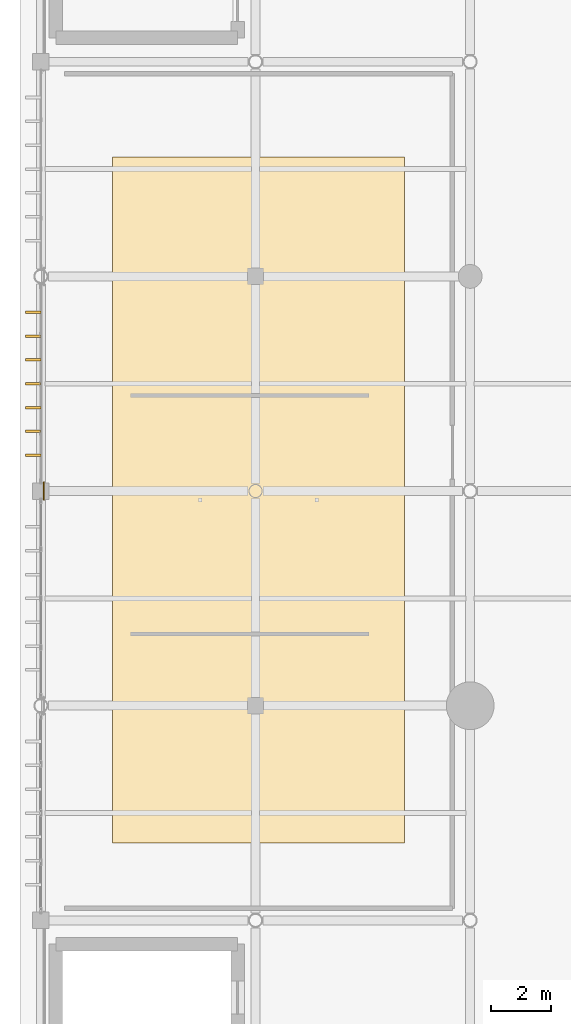
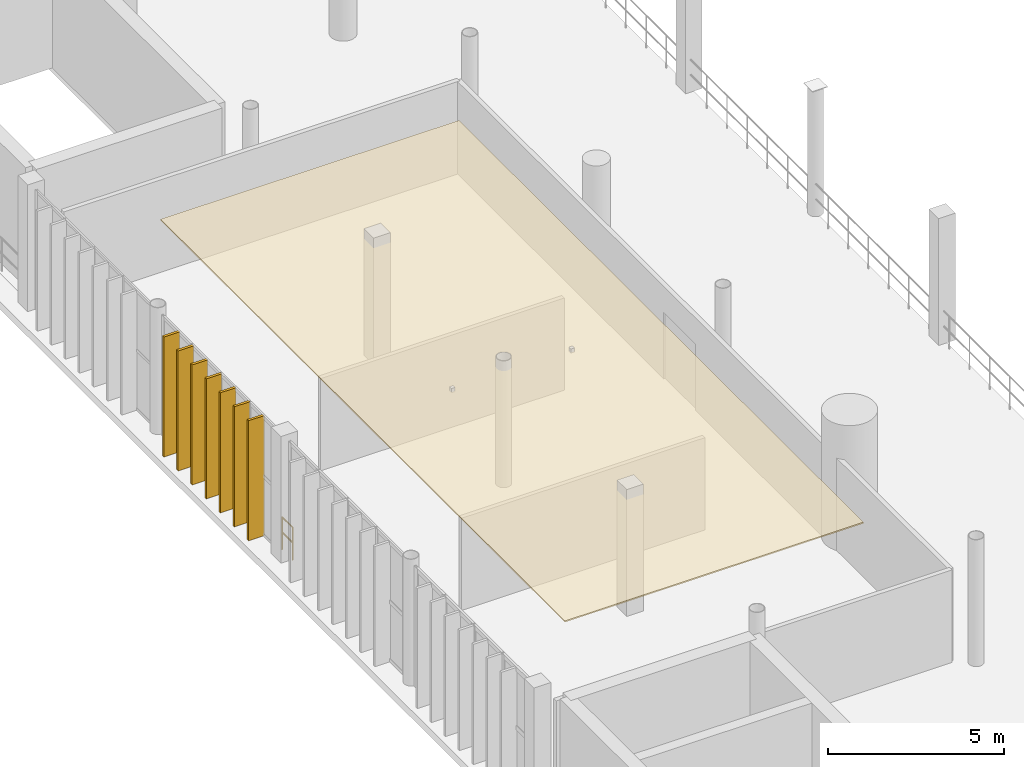
# One storey, part 73 of 81: 8 coverings, 1 railing.
"""IFC4 building model written with IfcOpenShell, lengths in metres."""

from ifc_helpers import new_model, si_unit, direction, frame, origin, origin_2d, place, context, subcontext, project, spatial, polyline, rectangle, circle, outline, extrude, material, layer, layer_set, type_object, element, save


model = new_model("IFC4")

# Units and contexts
model_context = context("Model", 3, precision=1e-05, world=origin(), true_north=direction((0.0, 1.0)))
body_context = subcontext(model_context, "Body", "Model", "MODEL_VIEW")
ifc_project = project(units=[si_unit("LENGTHUNIT", "METRE"), si_unit("AREAUNIT", "SQUARE_METRE"), si_unit("VOLUMEUNIT", "CUBIC_METRE"), si_unit("PLANEANGLEUNIT", "RADIAN"), si_unit("MASSUNIT", "GRAM", prefix="KILO")], contexts=[model_context])

# Site, building, storey
site_placement = place(None, origin())
site = spatial("IfcSite", under=ifc_project, at=site_placement, CompositionType="ELEMENT")
building_placement = place(site_placement, origin())
building = spatial("IfcBuilding", under=site, at=building_placement, Name="Qandorah Velis Arena", CompositionType="ELEMENT")
storey_placement = place(building_placement, frame((0.0, 0.0, 18.60009765625)))
storey = spatial("IfcBuildingStorey", under=building, at=storey_placement, Name="L04", CompositionType="ELEMENT", Elevation=18.60009765625)

# Coverings
ifc_material_1 = material(Name="Perforated mineral-fibre acoustic ceiling cloud", Category="gypsum")
ifc_layer_1 = layer(ifc_material_1, 0.044921875)
ifc_layer_set_1 = layer_set([ifc_layer_1], Name="Perforated mineral-fibre acoustic ceiling cloud")
covering_type_1 = type_object("IfcCoveringType", Name="ARC-COV-CEIL", PredefinedType="CEILING", material=ifc_layer_set_1)
covering_placement = place(storey_placement, frame((0.0, 0.0, 4.0048828125)))
element("IfcCovering", 1, at=covering_placement, inside=storey, type_object=covering_type_1, Name="Acoustic ceiling cloud AC-06", PredefinedType="CEILING", context=body_context, shape_type="SweptSolid", body=[
    extrude(outline(polyline([(2.39990234375, 53.0), (12.199951171875, 53.0), (12.199951171875, 76.0), (2.39990234375, 76.0), (2.39990234375, 53.0)])), origin(), (0.0, 0.0, 1.0), 0.044921875),
])
ifc_material_2 = material(Name="Champagne-bronze anodized aluminium 6063-T6", Category="aluminium")
ifc_layer_2 = layer(ifc_material_2, 0.0849609375)
ifc_layer_set_2 = layer_set([ifc_layer_2], Name="Champagne-bronze anodized aluminium 6063-T6")
covering_type_2 = type_object("IfcCoveringType", Name="ARC-COV-FIN520", PredefinedType="CLADDING", material=ifc_layer_set_2)
for number, where, z_axis, x_axis, name in (
    (2, (-0.251953125, 66.0, -0.010009765625), (0.0, 0.0, 1.0), (1.0, 0.0, 0.0), "Vertical champagne-bronze solar fin blade WNG-W-L04-09-001"),
    (3, (-0.251953125, 66.800048828125, -0.010009765625), (0.0, 0.0, 1.0), (1.0, 0.0, 0.0), "Vertical champagne-bronze solar fin blade WNG-W-L04-09-002"),
    (4, (-0.251953125, 67.60009765625, -0.010009765625), (0.0, 0.0, 1.0), (1.0, 0.0, 0.0), "Vertical champagne-bronze solar fin blade WNG-W-L04-09-003"),
    (5, (-0.251953125, 68.39990234375, -0.010009765625), (0.0, 0.0, 1.0), (1.0, 0.0, 0.0), "Vertical champagne-bronze solar fin blade WNG-W-L04-09-004"),
    (6, (-0.251953125, 69.199951171875, -0.010009765625), (0.0, 0.0, 1.0), (1.0, 0.0, 0.0), "Vertical champagne-bronze solar fin blade WNG-W-L04-09-005"),
    (7, (-0.251953125, 70.0, -0.010009765625), (0.0, 0.0, 1.0), (1.0, 0.0, 0.0), "Vertical champagne-bronze solar fin blade WNG-W-L04-09-006"),
    (8, (-0.251953125, 70.800048828125, -0.010009765625), (0.0, 0.0, 1.0), (1.0, 0.0, 0.0), "Vertical champagne-bronze solar fin blade WNG-W-L04-09-007"),
):
    element("IfcCovering", number, at=place(storey_placement, frame(where, z_axis=z_axis, x_axis=x_axis)), inside=storey, type_object=covering_type_2, Name=name, PredefinedType="CLADDING", context=body_context, shape_type="SweptSolid", body=[
        extrude(rectangle(XDim=0.52001953125, YDim=0.0849609375, at=origin_2d()), origin(), (0.0, 0.0, 1.0), 4.169921875),
    ])

# Railing
ifc_material_3 = material(Name="Stainless steel 316", Category="steel")
railing_type = type_object("IfcRailingType", Name="ARC-RL-GRD1150", PredefinedType="GUARDRAIL", material=ifc_material_3)
railing_placement = place(storey_placement, frame((0.10009765625, 64.5, 0.0)))
element("IfcRailing", 9, at=railing_placement, inside=storey, type_object=railing_type, Name="Slab edge safety guardrail L04-242", PredefinedType="GUARDRAIL", context=body_context, shape_type="SweptSolid", body=[
    extrude(circle(Radius=0.02392578125, at=origin_2d()), frame((0.0, 0.0, 1.1259765625), z_axis=(0.0, 1.0, 0.0), x_axis=(-1.0, 0.0, 0.0)), (0.0, 0.0, 1.0), 0.60009765625),
    extrude(circle(Radius=0.02392578125, at=origin_2d()), frame((0.0, 0.0, 0.597900390625), z_axis=(0.0, 1.0, 0.0), x_axis=(-1.0, 0.0, 0.0)), (0.0, 0.0, 1.0), 0.60009765625),
    extrude(circle(Radius=0.02099609375, at=origin_2d()), origin(), (0.0, 0.0, 1.0), 1.101806640625),
    extrude(circle(Radius=0.02099609375, at=origin_2d()), frame((0.0, 0.60009765625, 0.0)), (0.0, 0.0, 1.0), 1.101806640625),
])

save(model, "model.ifc")
